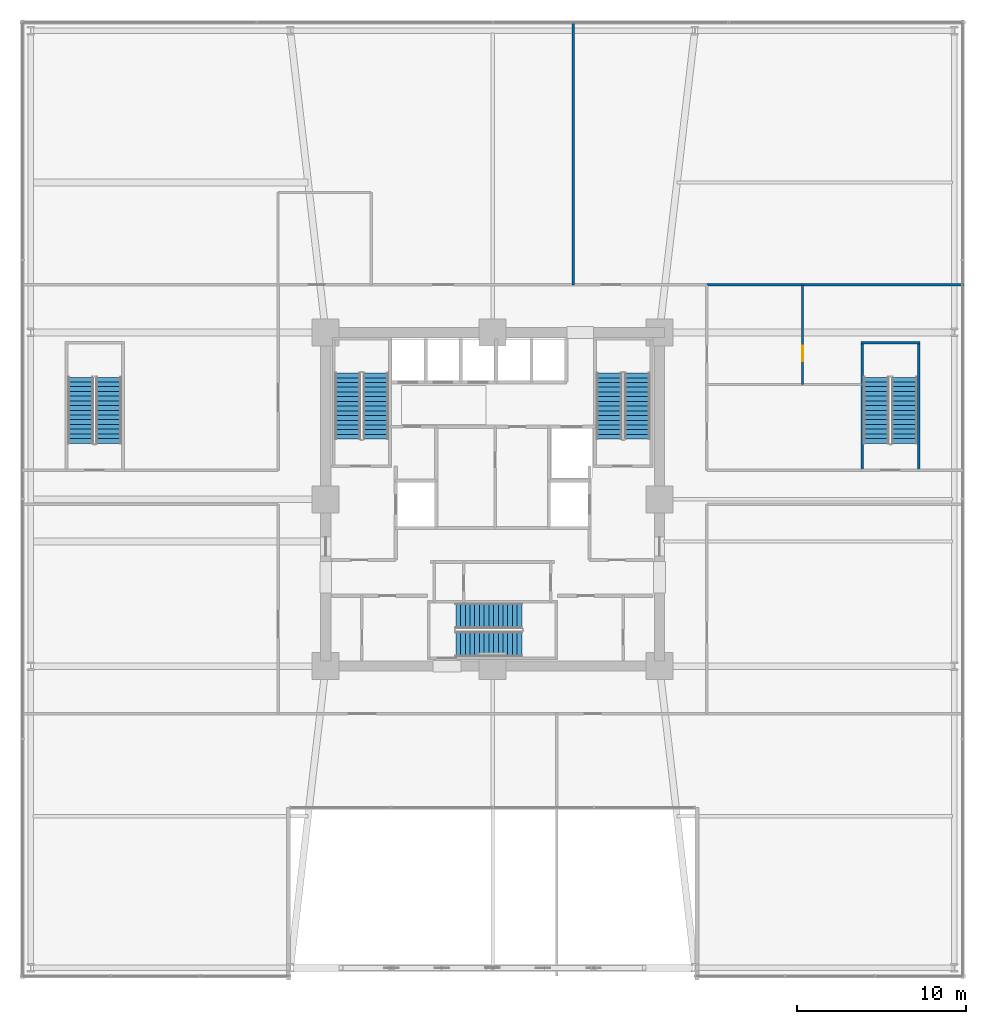
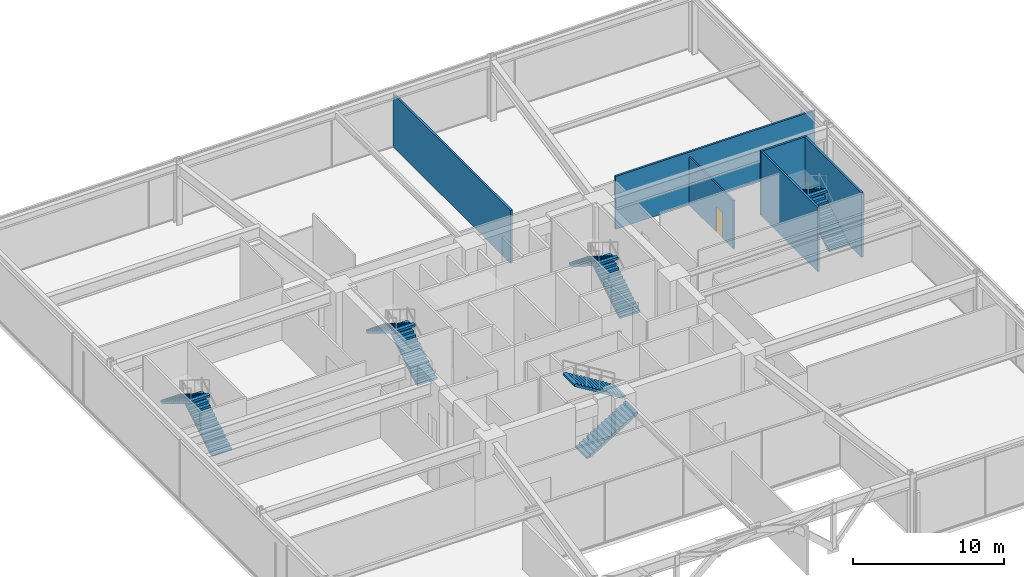
# One storey, part 45 of 49: 10 stair flights, 6 walls, 1 door, 1 opening, 5 elements without a shape of their own.
"""IFC4 building model written with IfcOpenShell, lengths in metres."""

from ifc_helpers import new_model, si_unit, direction, frame, frame_2d, origin, place, context, subcontext, project, spatial, polyline, rectangle, outline, extrude, material, layer, layer_set, type_object, element, fill, aggregate, save


model = new_model("IFC4")

# Units and contexts
model_context = context("Model", 3, precision=1e-05, world=origin(), true_north=direction((0.0, 1.0)))
body_context = subcontext(model_context, "Body", "Model", "MODEL_VIEW")
ifc_project = project(units=[si_unit("LENGTHUNIT", "METRE"), si_unit("AREAUNIT", "SQUARE_METRE"), si_unit("VOLUMEUNIT", "CUBIC_METRE"), si_unit("PLANEANGLEUNIT", "RADIAN"), si_unit("MASSUNIT", "GRAM", prefix="KILO")], contexts=[model_context])

# Site, building, storey
site_placement = place(None, origin())
site = spatial("IfcSite", under=ifc_project, at=site_placement, CompositionType="ELEMENT")
building_placement = place(site_placement, origin())
building = spatial("IfcBuilding", under=site, at=building_placement, Name="Kolvaren Belvedere", CompositionType="ELEMENT")
storey_placement = place(building_placement, frame((0.0, 0.0, 10.0)))
storey = spatial("IfcBuildingStorey", under=building, at=storey_placement, Name="L03", CompositionType="ELEMENT", Elevation=10.0)

# Walls
ifc_material_1 = material(Name="Concrete C50/60", Category="concrete")
ifc_layer_1 = layer(ifc_material_1, 0.159912109375)
ifc_layer_set_1 = layer_set([ifc_layer_1], Name="Concrete C50/60")
wall_type_1 = type_object("IfcWallType", Name="CW-STAIR-160", PredefinedType="SHEAR", material=ifc_layer_set_1)
wall_1_placement = place(storey_placement, frame((21.85009765625, 9.280029296875, 0.0), z_axis=(0.0, 0.0, 1.0), x_axis=(1.0, 0.0, 0.0)))
element("IfcWall", 1, at=wall_1_placement, inside=storey, type_object=wall_type_1, Name="L03 Stair ST-P2 North Shear Wall", PredefinedType="SHEAR", context=body_context, shape_type="SweptSolid", body=[
    extrude(rectangle(XDim=3.510009765625, YDim=0.159912109375, at=frame_2d((1.7548828125, 0.0))), origin(), (0.0, 0.0, 1.0), 5.199951171875),
])
for number, where, z_axis, x_axis, name in (
    (2, (21.929931640625, 1.719970703125, 0.0), (0.0, 0.0, 1.0), (0.0, 1.0, 0.0), "L03 Stair ST-P2 West Shear Wall"),
    (3, (25.280029296875, 1.719970703125, 0.0), (0.0, 0.0, 1.0), (0.0, 1.0, 0.0), "L03 Stair ST-P2 East Shear Wall"),
):
    element("IfcWall", number, at=place(storey_placement, frame(where, z_axis=z_axis, x_axis=x_axis)), inside=storey, type_object=wall_type_1, Name=name, PredefinedType="SHEAR", context=body_context, shape_type="SweptSolid", body=[
        extrude(rectangle(XDim=7.56005859375, YDim=0.159912109375, at=frame_2d((3.780029296875, 0.0))), origin(), (0.0, 0.0, 1.0), 5.199951171875),
    ])
ifc_material_2 = material(Name="Gypsum fire-rated partition assembly", Category="gypsum")
ifc_layer_2 = layer(ifc_material_2, 0.14990234375)
ifc_layer_set_2 = layer_set([ifc_layer_2], Name="Gypsum fire-rated partition assembly")
wall_type_2 = type_object("IfcWallType", Name="WL-CORR-150", PredefinedType="PARTITIONING", material=ifc_layer_set_2)
wall_2_placement = place(storey_placement, frame((12.719970703125, 12.719970703125, 0.0), z_axis=(0.0, 0.0, 1.0), x_axis=(1.0, 0.0, 0.0)))
element("IfcWall", 4, at=wall_2_placement, inside=storey, type_object=wall_type_2, Name="L03 Sector Wall PW-L03-QNE", PredefinedType="PARTITIONING", context=body_context, shape_type="SweptSolid", body=[
    extrude(rectangle(XDim=15.260009765625, YDim=0.14990234375, at=frame_2d((7.6298828125, 0.0))), origin(), (0.0, 0.0, 1.0), 4.2890625),
])
ifc_material_3 = material(Name="Gypsum acoustic partition assembly", Category="gypsum")
ifc_layer_3 = layer(ifc_material_3, 0.14990234375)
ifc_layer_set_3 = layer_set([ifc_layer_3], Name="Gypsum acoustic partition assembly")
wall_type_3 = type_object("IfcWallType", Name="WL-PART-150", PredefinedType="PARTITIONING", material=ifc_layer_set_3)
wall_3_placement = place(storey_placement, frame((4.800048828125, 12.719970703125, 0.0), z_axis=(0.0, 0.0, 1.0), x_axis=(0.0, 1.0, 0.0)))
element("IfcWall", 5, at=wall_3_placement, inside=storey, type_object=wall_type_3, Name="L03 North Service Wall", PredefinedType="PARTITIONING", context=body_context, shape_type="SweptSolid", body=[
    extrude(rectangle(XDim=15.56005859375, YDim=0.14990234375, at=frame_2d((7.780029296875, 0.0))), origin(), (0.0, 0.0, 1.0), 4.2890625),
])

# Wall, opening, door
ifc_material_4 = material(Name="Moisture-resistant gypsum partition", Category="gypsum")
ifc_layer_4 = layer(ifc_material_4, 0.125)
ifc_layer_set_4 = layer_set([ifc_layer_4], Name="Moisture-resistant gypsum partition")
wall_type_4 = type_object("IfcWallType", Name="WL-WET-125", PredefinedType="PARTITIONING", material=ifc_layer_set_4)
wall_4_placement = place(storey_placement, frame((18.39990234375, 6.800048828125, 0.0), z_axis=(0.0, 0.0, 1.0), x_axis=(0.0, 1.0, 0.0)))
wall_4 = element("IfcWall", 6, at=wall_4_placement, inside=storey, type_object=wall_type_4, Name="L03 East Washroom Back Wall", PredefinedType="PARTITIONING", context=body_context, shape_type="SweptSolid", body=[
    extrude(rectangle(XDim=5.919921875, YDim=0.125, at=frame_2d((2.9599609375, 0.0))), origin(), (0.0, 0.0, 1.0), 3.89404296875),
])
opening_placement = place(wall_4_placement, frame((1.39990234375, 0.0, 0.0)))
opening = element("IfcOpeningElement", 7, at=opening_placement, cuts=wall_4, Name="Opening D-INT90", PredefinedType="OPENING", context=body_context, shape_type="SweptSolid", body=[
    extrude(rectangle(XDim=0.89990234375, YDim=2.06005859375, at=frame_2d((0.449951171875, 1.030029296875))), frame((0.0, 0.072509765625, 0.0), z_axis=(0.0, -1.0, 0.0), x_axis=(1.0, 0.0, 0.0)), (0.0, 0.0, 1.0), 0.14501953125),
])
ifc_material_5 = material(Name="Stained Pacific white oak", Category="timber")
door_type = type_object("IfcDoorType", Name="DR-INT-900", OperationType="NOTDEFINED", PredefinedType="DOOR", material=ifc_material_5)
door_placement = place(opening_placement, origin())
door = element("IfcDoor", 8, at=door_placement, inside=storey, type_object=door_type, Name="L03 Banquet Chair & Table Store Door", OperationType="SINGLE_SWING_LEFT", OverallHeight=2.06005859375, OverallWidth=0.89990234375, PredefinedType="DOOR", context=body_context, shape_type="SweptSolid", body=[
    extrude(rectangle(XDim=0.89990234375, YDim=2.06005859375, at=frame_2d((0.449951171875, 1.030029296875))), frame((0.0, 0.02490234375, 0.0), z_axis=(0.0, -1.0, 0.0), x_axis=(1.0, 0.0, 0.0)), (0.0, 0.0, 1.0), 0.050048828125),
])
fill(opening, door)

# Stair, stair flights
ifc_material_6 = material(Name="Concrete C50/60", Category="concrete")
stair_type_1 = type_object("IfcStairType", Name="ST-CORE-1520", PredefinedType="HALF_TURN_STAIR", material=ifc_material_6)
stair_1_placement = place(storey_placement, origin())
stair_1 = element("IfcStair", 9, at=stair_1_placement, inside=storey, type_object=stair_type_1, Name="L03 Protected Exit Stair ST-1", PredefinedType="HALF_TURN_STAIR")
ifc_material_7 = material(Name="Concrete C50/60", Category="concrete")
stair_flight_type = type_object("IfcStairFlightType", Name="SF-STR-1520", PredefinedType="STRAIGHT", material=ifc_material_7)
stair_flight_1_placement = place(storey_placement, frame((-6.919921875, 3.570068359375, 0.0), z_axis=(0.0, 0.0, 1.0), x_axis=(0.0, 1.0, 0.0)))
stair_flight_1 = element("IfcStairFlight", 10, at=stair_flight_1_placement, type_object=stair_flight_type, Name="ST-1 flight 1", NumberOfRisers=15, NumberOfTreads=14, PredefinedType="STRAIGHT", RiserHeight=0.173333333, TreadLength=0.28, context=body_context, shape_type="SweptSolid", body=[
    extrude(outline(polyline([(0.0, 0.0), (0.0, 0.17333984375), (0.280029296875, 0.17333984375), (0.280029296875, 0.3466796875), (0.56005859375, 0.3466796875), (0.56005859375, 0.52001953125), (0.840087890625, 0.52001953125), (0.840087890625, 0.693359375), (1.1201171875, 0.693359375), (1.1201171875, 0.86669921875), (1.39990234375, 0.86669921875), (1.39990234375, 1.0400390625), (1.679931640625, 1.0400390625), (1.679931640625, 1.21337890625), (1.9599609375, 1.21337890625), (1.9599609375, 1.38671875), (2.239990234375, 1.38671875), (2.239990234375, 1.56005859375), (2.52001953125, 1.56005859375), (2.52001953125, 1.7333984375), (2.800048828125, 1.7333984375), (2.800048828125, 1.90673828125), (3.080078125, 1.90673828125), (3.080078125, 2.080078125), (3.360107421875, 2.080078125), (3.360107421875, 2.25341796875), (3.639892578125, 2.25341796875), (3.639892578125, 2.4267578125), (3.919921875, 2.4267578125), (3.919921875, 2.60009765625), (3.919921875, 2.250244140625), (0.284912109375, 0.0), (0.0, 0.0)])), frame((0.0, 0.760009765625, 0.0), z_axis=(0.0, -1.0, 0.0), x_axis=(1.0, 0.0, 0.0)), (0.0, 0.0, 1.0), 1.52001953125),
])
stair_flight_2_placement = place(storey_placement, frame((-8.590087890625, 7.489990234375, 2.60009765625), z_axis=(0.0, 0.0, 1.0), x_axis=(0.0, -1.0, 0.0)))
stair_flight_2 = element("IfcStairFlight", 11, at=stair_flight_2_placement, type_object=stair_flight_type, Name="ST-1 flight 2", NumberOfRisers=15, NumberOfTreads=14, PredefinedType="STRAIGHT", RiserHeight=0.173333333, TreadLength=0.28, context=body_context, shape_type="SweptSolid", body=[
    extrude(outline(polyline([(0.0, 0.0), (0.0, 0.17333984375), (0.280029296875, 0.17333984375), (0.280029296875, 0.3466796875), (0.56005859375, 0.3466796875), (0.56005859375, 0.52001953125), (0.840087890625, 0.52001953125), (0.840087890625, 0.693359375), (1.1201171875, 0.693359375), (1.1201171875, 0.86669921875), (1.39990234375, 0.86669921875), (1.39990234375, 1.0400390625), (1.679931640625, 1.0400390625), (1.679931640625, 1.21337890625), (1.9599609375, 1.21337890625), (1.9599609375, 1.38671875), (2.239990234375, 1.38671875), (2.239990234375, 1.56005859375), (2.52001953125, 1.56005859375), (2.52001953125, 1.7333984375), (2.800048828125, 1.7333984375), (2.800048828125, 1.90673828125), (3.080078125, 1.90673828125), (3.080078125, 2.080078125), (3.360107421875, 2.080078125), (3.360107421875, 2.25341796875), (3.639892578125, 2.25341796875), (3.639892578125, 2.4267578125), (3.919921875, 2.4267578125), (3.919921875, 2.60009765625), (3.919921875, 2.250244140625), (0.284912109375, 0.0), (0.0, 0.0)])), frame((0.0, 0.760009765625, 0.0), z_axis=(0.0, -1.0, 0.0), x_axis=(1.0, 0.0, 0.0)), (0.0, 0.0, 1.0), 1.52001953125),
])
aggregate(stair_1, [stair_flight_1, stair_flight_2])

stair_2_placement = place(storey_placement, origin())
stair_2 = element("IfcStair", 12, at=stair_2_placement, inside=storey, type_object=stair_type_1, Name="L03 Protected Exit Stair ST-2", PredefinedType="HALF_TURN_STAIR")
stair_flight_3_placement = place(storey_placement, frame((8.590087890625, 3.570068359375, 0.0), z_axis=(0.0, 0.0, 1.0), x_axis=(0.0, 1.0, 0.0)))
stair_flight_3 = element("IfcStairFlight", 13, at=stair_flight_3_placement, type_object=stair_flight_type, Name="ST-2 flight 1", NumberOfRisers=15, NumberOfTreads=14, PredefinedType="STRAIGHT", RiserHeight=0.173333333, TreadLength=0.28, context=body_context, shape_type="SweptSolid", body=[
    extrude(outline(polyline([(0.0, 0.0), (0.0, 0.17333984375), (0.280029296875, 0.17333984375), (0.280029296875, 0.3466796875), (0.56005859375, 0.3466796875), (0.56005859375, 0.52001953125), (0.840087890625, 0.52001953125), (0.840087890625, 0.693359375), (1.1201171875, 0.693359375), (1.1201171875, 0.86669921875), (1.39990234375, 0.86669921875), (1.39990234375, 1.0400390625), (1.679931640625, 1.0400390625), (1.679931640625, 1.21337890625), (1.9599609375, 1.21337890625), (1.9599609375, 1.38671875), (2.239990234375, 1.38671875), (2.239990234375, 1.56005859375), (2.52001953125, 1.56005859375), (2.52001953125, 1.7333984375), (2.800048828125, 1.7333984375), (2.800048828125, 1.90673828125), (3.080078125, 1.90673828125), (3.080078125, 2.080078125), (3.360107421875, 2.080078125), (3.360107421875, 2.25341796875), (3.639892578125, 2.25341796875), (3.639892578125, 2.4267578125), (3.919921875, 2.4267578125), (3.919921875, 2.60009765625), (3.919921875, 2.250244140625), (0.284912109375, 0.0), (0.0, 0.0)])), frame((0.0, 0.760009765625, 0.0), z_axis=(0.0, -1.0, 0.0), x_axis=(1.0, 0.0, 0.0)), (0.0, 0.0, 1.0), 1.52001953125),
])
stair_flight_4_placement = place(storey_placement, frame((6.919921875, 7.489990234375, 2.60009765625), z_axis=(0.0, 0.0, 1.0), x_axis=(0.0, -1.0, 0.0)))
stair_flight_4 = element("IfcStairFlight", 14, at=stair_flight_4_placement, type_object=stair_flight_type, Name="ST-2 flight 2", NumberOfRisers=15, NumberOfTreads=14, PredefinedType="STRAIGHT", RiserHeight=0.173333333, TreadLength=0.28, context=body_context, shape_type="SweptSolid", body=[
    extrude(outline(polyline([(0.0, 0.0), (0.0, 0.17333984375), (0.280029296875, 0.17333984375), (0.280029296875, 0.3466796875), (0.56005859375, 0.3466796875), (0.56005859375, 0.52001953125), (0.840087890625, 0.52001953125), (0.840087890625, 0.693359375), (1.1201171875, 0.693359375), (1.1201171875, 0.86669921875), (1.39990234375, 0.86669921875), (1.39990234375, 1.0400390625), (1.679931640625, 1.0400390625), (1.679931640625, 1.21337890625), (1.9599609375, 1.21337890625), (1.9599609375, 1.38671875), (2.239990234375, 1.38671875), (2.239990234375, 1.56005859375), (2.52001953125, 1.56005859375), (2.52001953125, 1.7333984375), (2.800048828125, 1.7333984375), (2.800048828125, 1.90673828125), (3.080078125, 1.90673828125), (3.080078125, 2.080078125), (3.360107421875, 2.080078125), (3.360107421875, 2.25341796875), (3.639892578125, 2.25341796875), (3.639892578125, 2.4267578125), (3.919921875, 2.4267578125), (3.919921875, 2.60009765625), (3.919921875, 2.250244140625), (0.284912109375, 0.0), (0.0, 0.0)])), frame((0.0, 0.760009765625, 0.0), z_axis=(0.0, -1.0, 0.0), x_axis=(1.0, 0.0, 0.0)), (0.0, 0.0, 1.0), 1.52001953125),
])
aggregate(stair_2, [stair_flight_3, stair_flight_4])

stair_3_placement = place(storey_placement, origin())
stair_3 = element("IfcStair", 15, at=stair_3_placement, inside=storey, type_object=stair_type_1, Name="L03 Protected Exit Stair ST-3", PredefinedType="HALF_TURN_STAIR")
stair_flight_5_placement = place(storey_placement, frame((-2.179931640625, -8.590087890625, 0.0), z_axis=(0.0, 0.0, 1.0), x_axis=(1.0, 0.0, 0.0)))
stair_flight_5 = element("IfcStairFlight", 16, at=stair_flight_5_placement, type_object=stair_flight_type, Name="ST-3 flight 1", NumberOfRisers=15, NumberOfTreads=14, PredefinedType="STRAIGHT", RiserHeight=0.173333333, TreadLength=0.28, context=body_context, shape_type="SweptSolid", body=[
    extrude(outline(polyline([(0.0, 0.0), (0.0, 0.17333984375), (0.280029296875, 0.17333984375), (0.280029296875, 0.3466796875), (0.56005859375, 0.3466796875), (0.56005859375, 0.52001953125), (0.840087890625, 0.52001953125), (0.840087890625, 0.693359375), (1.1201171875, 0.693359375), (1.1201171875, 0.86669921875), (1.39990234375, 0.86669921875), (1.39990234375, 1.0400390625), (1.679931640625, 1.0400390625), (1.679931640625, 1.21337890625), (1.9599609375, 1.21337890625), (1.9599609375, 1.38671875), (2.239990234375, 1.38671875), (2.239990234375, 1.56005859375), (2.52001953125, 1.56005859375), (2.52001953125, 1.7333984375), (2.800048828125, 1.7333984375), (2.800048828125, 1.90673828125), (3.080078125, 1.90673828125), (3.080078125, 2.080078125), (3.360107421875, 2.080078125), (3.360107421875, 2.25341796875), (3.639892578125, 2.25341796875), (3.639892578125, 2.4267578125), (3.919921875, 2.4267578125), (3.919921875, 2.60009765625), (3.919921875, 2.250244140625), (0.284912109375, 0.0), (0.0, 0.0)])), frame((0.0, 0.760009765625, 0.0), z_axis=(0.0, -1.0, 0.0), x_axis=(1.0, 0.0, 0.0)), (0.0, 0.0, 1.0), 1.52001953125),
])
stair_flight_6_placement = place(storey_placement, frame((1.739990234375, -6.919921875, 2.60009765625), z_axis=(0.0, 0.0, 1.0), x_axis=(-1.0, 0.0, 0.0)))
stair_flight_6 = element("IfcStairFlight", 17, at=stair_flight_6_placement, type_object=stair_flight_type, Name="ST-3 flight 2", NumberOfRisers=15, NumberOfTreads=14, PredefinedType="STRAIGHT", RiserHeight=0.173333333, TreadLength=0.28, context=body_context, shape_type="SweptSolid", body=[
    extrude(outline(polyline([(0.0, 0.0), (0.0, 0.17333984375), (0.280029296875, 0.17333984375), (0.280029296875, 0.3466796875), (0.56005859375, 0.3466796875), (0.56005859375, 0.52001953125), (0.840087890625, 0.52001953125), (0.840087890625, 0.693359375), (1.1201171875, 0.693359375), (1.1201171875, 0.86669921875), (1.39990234375, 0.86669921875), (1.39990234375, 1.0400390625), (1.679931640625, 1.0400390625), (1.679931640625, 1.21337890625), (1.9599609375, 1.21337890625), (1.9599609375, 1.38671875), (2.239990234375, 1.38671875), (2.239990234375, 1.56005859375), (2.52001953125, 1.56005859375), (2.52001953125, 1.7333984375), (2.800048828125, 1.7333984375), (2.800048828125, 1.90673828125), (3.080078125, 1.90673828125), (3.080078125, 2.080078125), (3.360107421875, 2.080078125), (3.360107421875, 2.25341796875), (3.639892578125, 2.25341796875), (3.639892578125, 2.4267578125), (3.919921875, 2.4267578125), (3.919921875, 2.60009765625), (3.919921875, 2.250244140625), (0.284912109375, 0.0), (0.0, 0.0)])), frame((0.0, 0.760009765625, 0.0), z_axis=(0.0, -1.0, 0.0), x_axis=(1.0, 0.0, 0.0)), (0.0, 0.0, 1.0), 1.52001953125),
])
aggregate(stair_3, [stair_flight_5, stair_flight_6])

ifc_material_8 = material(Name="Concrete C50/60", Category="concrete")
stair_type_2 = type_object("IfcStairType", Name="ST-POD-1520", PredefinedType="HALF_TURN_STAIR", material=ifc_material_8)
stair_4_placement = place(storey_placement, origin())
stair_4 = element("IfcStair", 18, at=stair_4_placement, inside=storey, type_object=stair_type_2, Name="L03 Podium Exit Stair ST-P1", PredefinedType="HALF_TURN_STAIR")
stair_flight_7_placement = place(storey_placement, frame((-22.77001953125, 3.320068359375, 0.0), z_axis=(0.0, 0.0, 1.0), x_axis=(0.0, 1.0, 0.0)))
stair_flight_7 = element("IfcStairFlight", 19, at=stair_flight_7_placement, type_object=stair_flight_type, Name="ST-P1 flight 1", NumberOfRisers=15, NumberOfTreads=14, PredefinedType="STRAIGHT", RiserHeight=0.173333333, TreadLength=0.28, context=body_context, shape_type="SweptSolid", body=[
    extrude(outline(polyline([(0.0, 0.0), (0.0, 0.17333984375), (0.280029296875, 0.17333984375), (0.280029296875, 0.3466796875), (0.56005859375, 0.3466796875), (0.56005859375, 0.52001953125), (0.840087890625, 0.52001953125), (0.840087890625, 0.693359375), (1.1201171875, 0.693359375), (1.1201171875, 0.86669921875), (1.39990234375, 0.86669921875), (1.39990234375, 1.0400390625), (1.679931640625, 1.0400390625), (1.679931640625, 1.21337890625), (1.9599609375, 1.21337890625), (1.9599609375, 1.38671875), (2.239990234375, 1.38671875), (2.239990234375, 1.56005859375), (2.52001953125, 1.56005859375), (2.52001953125, 1.7333984375), (2.800048828125, 1.7333984375), (2.800048828125, 1.90673828125), (3.080078125, 1.90673828125), (3.080078125, 2.080078125), (3.360107421875, 2.080078125), (3.360107421875, 2.25341796875), (3.639892578125, 2.25341796875), (3.639892578125, 2.4267578125), (3.919921875, 2.4267578125), (3.919921875, 2.60009765625), (3.919921875, 2.250244140625), (0.284912109375, 0.0), (0.0, 0.0)])), frame((0.0, 0.760009765625, 0.0), z_axis=(0.0, -1.0, 0.0), x_axis=(1.0, 0.0, 0.0)), (0.0, 0.0, 1.0), 1.52001953125),
])
stair_flight_8_placement = place(storey_placement, frame((-24.43994140625, 7.239990234375, 2.60009765625), z_axis=(0.0, 0.0, 1.0), x_axis=(0.0, -1.0, 0.0)))
stair_flight_8 = element("IfcStairFlight", 20, at=stair_flight_8_placement, type_object=stair_flight_type, Name="ST-P1 flight 2", NumberOfRisers=15, NumberOfTreads=14, PredefinedType="STRAIGHT", RiserHeight=0.173333333, TreadLength=0.28, context=body_context, shape_type="SweptSolid", body=[
    extrude(outline(polyline([(0.0, 0.0), (0.0, 0.17333984375), (0.280029296875, 0.17333984375), (0.280029296875, 0.3466796875), (0.56005859375, 0.3466796875), (0.56005859375, 0.52001953125), (0.840087890625, 0.52001953125), (0.840087890625, 0.693359375), (1.1201171875, 0.693359375), (1.1201171875, 0.86669921875), (1.39990234375, 0.86669921875), (1.39990234375, 1.0400390625), (1.679931640625, 1.0400390625), (1.679931640625, 1.21337890625), (1.9599609375, 1.21337890625), (1.9599609375, 1.38671875), (2.239990234375, 1.38671875), (2.239990234375, 1.56005859375), (2.52001953125, 1.56005859375), (2.52001953125, 1.7333984375), (2.800048828125, 1.7333984375), (2.800048828125, 1.90673828125), (3.080078125, 1.90673828125), (3.080078125, 2.080078125), (3.360107421875, 2.080078125), (3.360107421875, 2.25341796875), (3.639892578125, 2.25341796875), (3.639892578125, 2.4267578125), (3.919921875, 2.4267578125), (3.919921875, 2.60009765625), (3.919921875, 2.250244140625), (0.284912109375, 0.0), (0.0, 0.0)])), frame((0.0, 0.760009765625, 0.0), z_axis=(0.0, -1.0, 0.0), x_axis=(1.0, 0.0, 0.0)), (0.0, 0.0, 1.0), 1.52001953125),
])
aggregate(stair_4, [stair_flight_7, stair_flight_8])

stair_5_placement = place(storey_placement, origin())
stair_5 = element("IfcStair", 21, at=stair_5_placement, inside=storey, type_object=stair_type_2, Name="L03 Podium Exit Stair ST-P2", PredefinedType="HALF_TURN_STAIR")
stair_flight_9_placement = place(storey_placement, frame((24.43994140625, 3.320068359375, 0.0), z_axis=(0.0, 0.0, 1.0), x_axis=(0.0, 1.0, 0.0)))
stair_flight_9 = element("IfcStairFlight", 22, at=stair_flight_9_placement, type_object=stair_flight_type, Name="ST-P2 flight 1", NumberOfRisers=15, NumberOfTreads=14, PredefinedType="STRAIGHT", RiserHeight=0.173333333, TreadLength=0.28, context=body_context, shape_type="SweptSolid", body=[
    extrude(outline(polyline([(0.0, 0.0), (0.0, 0.17333984375), (0.280029296875, 0.17333984375), (0.280029296875, 0.3466796875), (0.56005859375, 0.3466796875), (0.56005859375, 0.52001953125), (0.840087890625, 0.52001953125), (0.840087890625, 0.693359375), (1.1201171875, 0.693359375), (1.1201171875, 0.86669921875), (1.39990234375, 0.86669921875), (1.39990234375, 1.0400390625), (1.679931640625, 1.0400390625), (1.679931640625, 1.21337890625), (1.9599609375, 1.21337890625), (1.9599609375, 1.38671875), (2.239990234375, 1.38671875), (2.239990234375, 1.56005859375), (2.52001953125, 1.56005859375), (2.52001953125, 1.7333984375), (2.800048828125, 1.7333984375), (2.800048828125, 1.90673828125), (3.080078125, 1.90673828125), (3.080078125, 2.080078125), (3.360107421875, 2.080078125), (3.360107421875, 2.25341796875), (3.639892578125, 2.25341796875), (3.639892578125, 2.4267578125), (3.919921875, 2.4267578125), (3.919921875, 2.60009765625), (3.919921875, 2.250244140625), (0.284912109375, 0.0), (0.0, 0.0)])), frame((0.0, 0.760009765625, 0.0), z_axis=(0.0, -1.0, 0.0), x_axis=(1.0, 0.0, 0.0)), (0.0, 0.0, 1.0), 1.52001953125),
])
stair_flight_10_placement = place(storey_placement, frame((22.77001953125, 7.239990234375, 2.60009765625), z_axis=(0.0, 0.0, 1.0), x_axis=(0.0, -1.0, 0.0)))
stair_flight_10 = element("IfcStairFlight", 23, at=stair_flight_10_placement, type_object=stair_flight_type, Name="ST-P2 flight 2", NumberOfRisers=15, NumberOfTreads=14, PredefinedType="STRAIGHT", RiserHeight=0.173333333, TreadLength=0.28, context=body_context, shape_type="SweptSolid", body=[
    extrude(outline(polyline([(0.0, 0.0), (0.0, 0.17333984375), (0.280029296875, 0.17333984375), (0.280029296875, 0.3466796875), (0.56005859375, 0.3466796875), (0.56005859375, 0.52001953125), (0.840087890625, 0.52001953125), (0.840087890625, 0.693359375), (1.1201171875, 0.693359375), (1.1201171875, 0.86669921875), (1.39990234375, 0.86669921875), (1.39990234375, 1.0400390625), (1.679931640625, 1.0400390625), (1.679931640625, 1.21337890625), (1.9599609375, 1.21337890625), (1.9599609375, 1.38671875), (2.239990234375, 1.38671875), (2.239990234375, 1.56005859375), (2.52001953125, 1.56005859375), (2.52001953125, 1.7333984375), (2.800048828125, 1.7333984375), (2.800048828125, 1.90673828125), (3.080078125, 1.90673828125), (3.080078125, 2.080078125), (3.360107421875, 2.080078125), (3.360107421875, 2.25341796875), (3.639892578125, 2.25341796875), (3.639892578125, 2.4267578125), (3.919921875, 2.4267578125), (3.919921875, 2.60009765625), (3.919921875, 2.250244140625), (0.284912109375, 0.0), (0.0, 0.0)])), frame((0.0, 0.760009765625, 0.0), z_axis=(0.0, -1.0, 0.0), x_axis=(1.0, 0.0, 0.0)), (0.0, 0.0, 1.0), 1.52001953125),
])
aggregate(stair_5, [stair_flight_9, stair_flight_10])

save(model, "model.ifc")
